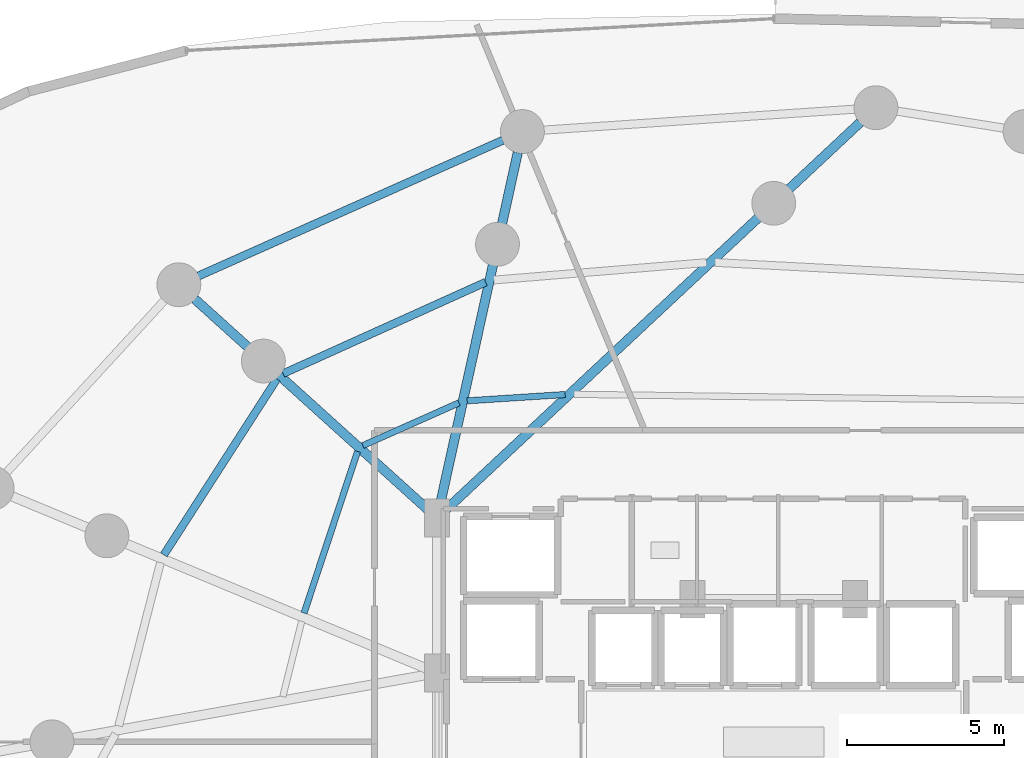
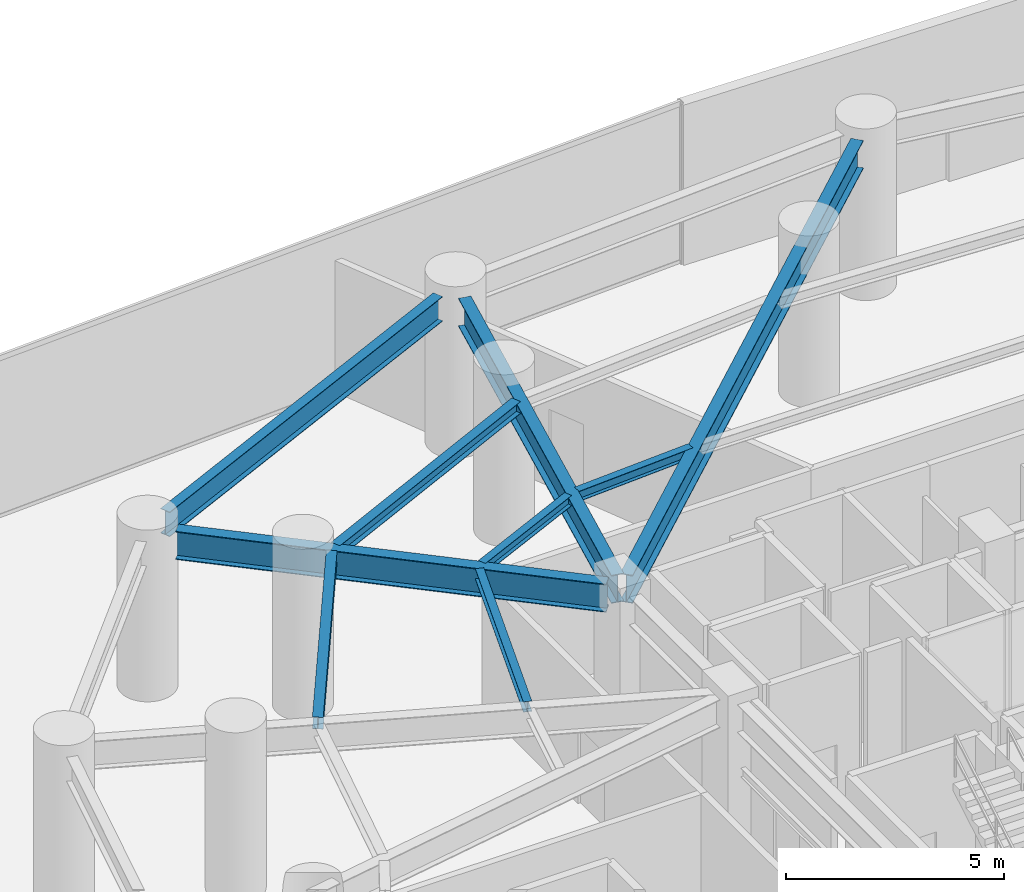
# One storey, part 15 of 30: 9 beams.
"""IFC4 building model written with IfcOpenShell, lengths in metres."""

from ifc_helpers import new_model, si_unit, direction, frame, origin, origin_2d, place, context, subcontext, project, spatial, i_section, extrude, material, material_profile, profile_set, type_object, element, save


model = new_model("IFC4")

# Units and contexts
model_context = context("Model", 3, precision=1e-05, world=origin(), true_north=direction((0.0, 1.0)))
body_context = subcontext(model_context, "Body", "Model", "MODEL_VIEW")
ifc_project = project(units=[si_unit("LENGTHUNIT", "METRE"), si_unit("AREAUNIT", "SQUARE_METRE"), si_unit("VOLUMEUNIT", "CUBIC_METRE"), si_unit("PLANEANGLEUNIT", "RADIAN"), si_unit("MASSUNIT", "GRAM", prefix="KILO")], contexts=[model_context])

# Site, building, storey
site_placement = place(None, origin())
site = spatial("IfcSite", under=ifc_project, at=site_placement, CompositionType="ELEMENT")
building_placement = place(site_placement, origin())
building = spatial("IfcBuilding", under=site, at=building_placement, Name="Vorneva Point Tower", CompositionType="ELEMENT")
storey_placement = place(building_placement, frame((0.0, 0.0, 9.60009765625)))
storey = spatial("IfcBuildingStorey", under=building, at=storey_placement, Name="L02", CompositionType="ELEMENT", Elevation=9.60009765625)

# Beams
ifc_material = material(Name="Steel S355", Category="steel")
ifc_material_profile_1 = material_profile(ifc_material, i_section(OverallWidth=0.300048828125, OverallDepth=0.7880859375, WebThickness=0.014404296875, FlangeThickness=0.02197265625, at=origin_2d()), Name="80Sh1")
ifc_profile_set_1 = profile_set([ifc_material_profile_1], Name="Steel S355")
beam_type_1 = type_object("IfcBeamType", Name="BM-GRD-80Sh1", PredefinedType="USERDEFINED", material=ifc_profile_set_1)
beam_1_placement = place(storey_placement, frame((40.762451171875, 45.78271484375, 4.0859375), z_axis=(-0.730484943743, -0.682928800802, 0.0), x_axis=(0.682928800802, -0.730484943743, 0.0)))
element("IfcBeam", 1, at=beam_1_placement, inside=storey, type_object=beam_type_1, Name="L02 Radial Primary Girder 05", ObjectType="GIRDER", PredefinedType="USERDEFINED", context=body_context, shape_type="SweptSolid", body=[
    extrude(i_section(OverallWidth=0.300048828125, OverallDepth=0.7880859375, WebThickness=0.014404296875, FlangeThickness=0.02197265625, at=origin_2d()), origin(), (0.0, 0.0, 1.0), 18.157958984375),
])
beam_2_placement = place(storey_placement, frame((29.825439453125, 44.81982421875, 4.0859375), z_axis=(-0.215507553279, -0.97650217331, 0.0), x_axis=(0.97650217331, -0.215507553279, 0.0)))
element("IfcBeam", 2, at=beam_2_placement, inside=storey, type_object=beam_type_1, Name="L02 Radial Primary Girder 06", ObjectType="GIRDER", PredefinedType="USERDEFINED", context=body_context, shape_type="SweptSolid", body=[
    extrude(i_section(OverallWidth=0.300048828125, OverallDepth=0.7880859375, WebThickness=0.014404296875, FlangeThickness=0.02197265625, at=origin_2d()), origin(), (0.0, 0.0, 1.0), 11.610595703125),
])
beam_3_placement = place(storey_placement, frame((19.51318359375, 40.138671875, 4.0859375), z_axis=(0.742080891711, -0.670310338692, 0.0), x_axis=(0.670310338692, 0.742080891711, 0.0)))
element("IfcBeam", 3, at=beam_3_placement, inside=storey, type_object=beam_type_1, Name="L02 Radial Primary Girder 07", ObjectType="GIRDER", PredefinedType="USERDEFINED", context=body_context, shape_type="SweptSolid", body=[
    extrude(i_section(OverallWidth=0.300048828125, OverallDepth=0.7880859375, WebThickness=0.014404296875, FlangeThickness=0.02197265625, at=origin_2d()), origin(), (0.0, 0.0, 1.0), 10.0859375),
])
ifc_material_profile_2 = material_profile(ifc_material, i_section(OverallWidth=0.199951171875, OverallDepth=0.291015625, WebThickness=0.008056640625, FlangeThickness=0.010986328125, at=origin_2d()), Name="30Sh1")
ifc_profile_set_2 = profile_set([ifc_material_profile_2], Name="Steel S355")
beam_type_2 = type_object("IfcBeamType", Name="BM-SEC-30Sh1", PredefinedType="BEAM", material=ifc_profile_set_2)
beam_4_placement = place(storey_placement, frame((31.33984375, 37.093505859375, 4.33447265625), z_axis=(-0.997933533157, -0.064254676099, 0.0), x_axis=(0.064254676099, -0.997933533157, 0.0)))
element("IfcBeam", 4, at=beam_4_placement, inside=storey, type_object=beam_type_2, Name="L02 Secondary Floor Beam 2.05", PredefinedType="BEAM", context=body_context, shape_type="SweptSolid", body=[
    extrude(i_section(OverallWidth=0.199951171875, OverallDepth=0.291015625, WebThickness=0.008056640625, FlangeThickness=0.010986328125, at=origin_2d()), origin(), (0.0, 0.0, 1.0), 3.134765625),
])
beam_5_placement = place(storey_placement, frame((27.947998046875, 36.827392578125, 4.33447265625), z_axis=(-0.913703632342, -0.40638119081, 0.0), x_axis=(0.40638119081, -0.913703632342, 0.0)))
element("IfcBeam", 5, at=beam_5_placement, inside=storey, type_object=beam_type_2, Name="L02 Secondary Floor Beam 2.06", PredefinedType="BEAM", context=body_context, shape_type="SweptSolid", body=[
    extrude(i_section(OverallWidth=0.199951171875, OverallDepth=0.291015625, WebThickness=0.008056640625, FlangeThickness=0.010986328125, at=origin_2d()), origin(), (0.0, 0.0, 1.0), 3.359375),
])
beam_6_placement = place(storey_placement, frame((24.708984375, 35.275146484375, 4.33447265625), z_axis=(-0.314219395375, -0.949350394517, 0.0), x_axis=(0.949350394517, -0.314219395375, 0.0)))
element("IfcBeam", 6, at=beam_6_placement, inside=storey, type_object=beam_type_2, Name="L02 Secondary Floor Beam 2.07", PredefinedType="BEAM", context=body_context, shape_type="SweptSolid", body=[
    extrude(i_section(OverallWidth=0.199951171875, OverallDepth=0.291015625, WebThickness=0.008056640625, FlangeThickness=0.010986328125, at=origin_2d()), origin(), (0.0, 0.0, 1.0), 5.435791015625),
])
ifc_material_profile_3 = material_profile(ifc_material, i_section(OverallWidth=0.2490234375, OverallDepth=0.333984375, WebThickness=0.008056640625, FlangeThickness=0.010986328125, at=origin_2d()), Name="35Sh1")
ifc_profile_set_3 = profile_set([ifc_material_profile_3], Name="Steel S355")
beam_type_3 = type_object("IfcBeamType", Name="BM-SEC-35Sh1", PredefinedType="BEAM", material=ifc_profile_set_3)
beam_7_placement = place(storey_placement, frame((28.798828125, 40.681396484375, 4.31298828125), z_axis=(-0.911365602495, -0.411597787397, 0.0), x_axis=(0.411597787397, -0.911365602495, 0.0)))
element("IfcBeam", 7, at=beam_7_placement, inside=storey, type_object=beam_type_3, Name="L02 Secondary Floor Beam 1.06", PredefinedType="BEAM", context=body_context, shape_type="SweptSolid", body=[
    extrude(i_section(OverallWidth=0.2490234375, OverallDepth=0.333984375, WebThickness=0.008056640625, FlangeThickness=0.010986328125, at=origin_2d()), origin(), (0.0, 0.0, 1.0), 7.093994140625),
])
beam_8_placement = place(storey_placement, frame((22.133056640625, 37.588623046875, 4.31298828125), z_axis=(-0.540781621595, -0.841163026854, 0.0), x_axis=(0.841163026854, -0.540781621595, 0.0)))
element("IfcBeam", 8, at=beam_8_placement, inside=storey, type_object=beam_type_3, Name="L02 Secondary Floor Beam 1.07", PredefinedType="BEAM", context=body_context, shape_type="SweptSolid", body=[
    extrude(i_section(OverallWidth=0.2490234375, OverallDepth=0.333984375, WebThickness=0.008056640625, FlangeThickness=0.010986328125, at=origin_2d()), origin(), (0.0, 0.0, 1.0), 6.67529296875),
])
ifc_material_profile_4 = material_profile(ifc_material, i_section(OverallWidth=0.260009765625, OverallDepth=0.69091796875, WebThickness=0.011962890625, FlangeThickness=0.015380859375, at=origin_2d()), Name="70B1")
ifc_profile_set_4 = profile_set([ifc_material_profile_4], Name="Steel S355")
beam_type_4 = type_object("IfcBeamType", Name="BM-SPN-70B1", PredefinedType="SPANDREL", material=ifc_profile_set_4)
beam_9_placement = place(storey_placement, frame((29.34814453125, 45.212646484375, 4.134521484375), z_axis=(-0.913331288807, -0.407217333725, 0.0), x_axis=(0.407217333725, -0.913331288807, 0.0)))
element("IfcBeam", 9, at=beam_9_placement, inside=storey, type_object=beam_type_4, Name="L02 Perimeter Spandrel Ring Beam 06", PredefinedType="SPANDREL", context=body_context, shape_type="SweptSolid", body=[
    extrude(i_section(OverallWidth=0.260009765625, OverallDepth=0.69091796875, WebThickness=0.011962890625, FlangeThickness=0.015380859375, at=origin_2d()), origin(), (0.0, 0.0, 1.0), 10.642333984375),
])

save(model, "model.ifc")
